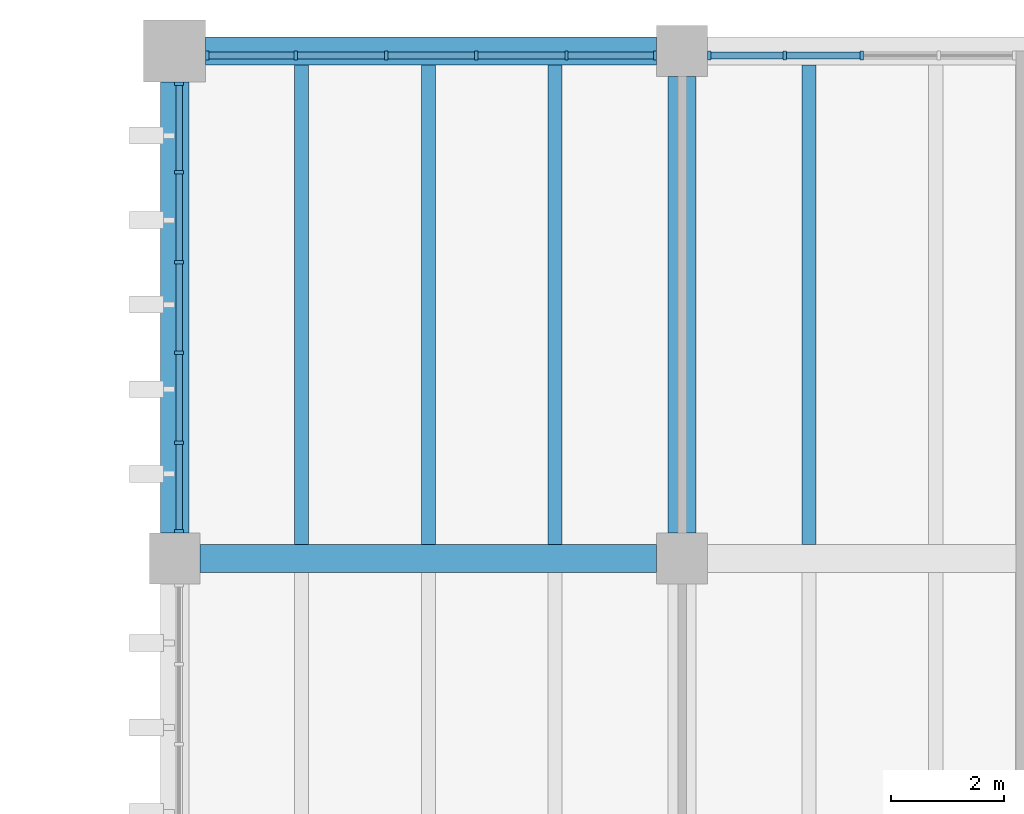
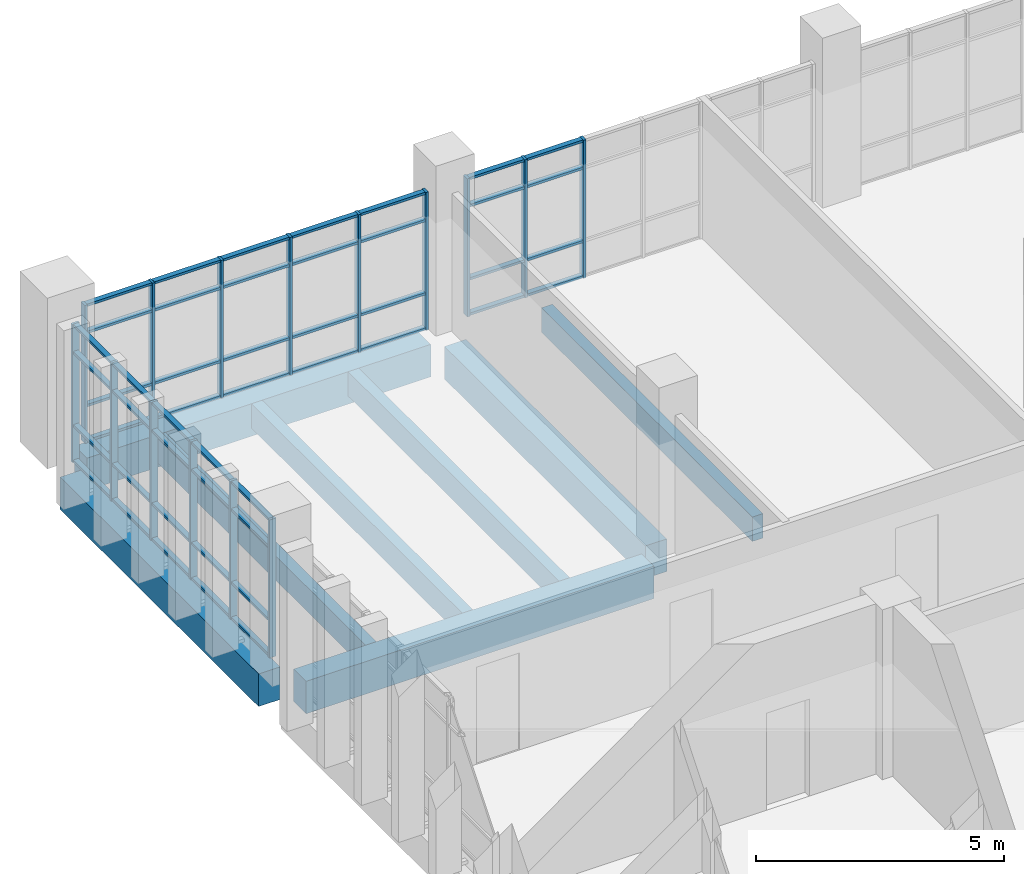
# One storey, part 31 of 92: 63 members, 8 beams, 3 elements without a shape of their own.
"""IFC4 building model written with IfcOpenShell, lengths in metres."""

from ifc_helpers import new_model, si_unit, direction, frame, origin, origin_2d, place, context, subcontext, project, spatial, rectangle, extrude, material, material_profile, profile_set, type_object, element, aggregate, save


model = new_model("IFC4")

# Units and contexts
model_context = context("Model", 3, precision=1e-05, world=origin(), true_north=direction((0.0, 1.0)))
body_context = subcontext(model_context, "Body", "Model", "MODEL_VIEW")
ifc_project = project(units=[si_unit("LENGTHUNIT", "METRE"), si_unit("AREAUNIT", "SQUARE_METRE"), si_unit("VOLUMEUNIT", "CUBIC_METRE"), si_unit("PLANEANGLEUNIT", "RADIAN"), si_unit("MASSUNIT", "GRAM", prefix="KILO")], contexts=[model_context])

# Site, building, storey
site_placement = place(None, origin())
site = spatial("IfcSite", under=ifc_project, at=site_placement, CompositionType="ELEMENT")
building_placement = place(site_placement, origin())
building = spatial("IfcBuilding", under=site, at=building_placement, Name="Merrow Basin Faculty of Sciences", CompositionType="ELEMENT")
storey_placement = place(building_placement, frame((0.0, 0.0, 4.5)))
storey = spatial("IfcBuildingStorey", under=building, at=storey_placement, Name="L01", CompositionType="ELEMENT", Elevation=4.5)

# Curtain wall, members
ifc_material_1 = material(Name="Aluminium alloy 6063", Category="aluminium")
curtain_wall_type = type_object("IfcCurtainWallType", Name="Unitised curtain wall 160", PredefinedType="NOTDEFINED", material=ifc_material_1)
curtain_wall_1_placement = place(storey_placement, origin())
curtain_wall_1 = element("IfcCurtainWall", 1, at=curtain_wall_1_placement, inside=storey, type_object=curtain_wall_type, Name="W curtain wall L01 3", PredefinedType="NOTDEFINED")
ifc_material_2 = material(Name="Aluminium alloy 6063", Category="aluminium")
ifc_material_profile_1 = material_profile(ifc_material_2, rectangle(XDim=0.159912109375, YDim=0.06005859375, at=origin_2d()))
ifc_profile_set_1 = profile_set([ifc_material_profile_1], Name="Aluminium alloy 6063")
member_type_1 = type_object("IfcMemberType", Name="Aluminium mullion 60x160", PredefinedType="MULLION", material=ifc_profile_set_1)
member_1_placement = place(storey_placement, frame((18.080078125, 160.47998046875, 0.0), z_axis=(0.0, 0.0, 1.0), x_axis=(-1.0, 0.0, 0.0)))
member_1 = element("IfcMember", 2, at=member_1_placement, type_object=member_type_1, Name="CW3 mullion 1", PredefinedType="MULLION", context=body_context, shape_type="SweptSolid", body=[
    extrude(rectangle(XDim=0.159912109375, YDim=0.06005859375, at=origin_2d()), origin(), (0.0, 0.0, 1.0), 3.39990234375),
])
member_2_placement = place(storey_placement, frame((18.080078125, 162.050048828125, 0.0), z_axis=(0.0, 0.0, 1.0), x_axis=(-1.0, 0.0, 0.0)))
member_2 = element("IfcMember", 3, at=member_2_placement, type_object=member_type_1, Name="CW3 mullion 2", PredefinedType="MULLION", context=body_context, shape_type="SweptSolid", body=[
    extrude(rectangle(XDim=0.159912109375, YDim=0.06005859375, at=origin_2d()), origin(), (0.0, 0.0, 1.0), 3.39990234375),
])
member_3_placement = place(storey_placement, frame((18.080078125, 163.64990234375, 0.0), z_axis=(0.0, 0.0, 1.0), x_axis=(-1.0, 0.0, 0.0)))
member_3 = element("IfcMember", 4, at=member_3_placement, type_object=member_type_1, Name="CW3 mullion 3", PredefinedType="MULLION", context=body_context, shape_type="SweptSolid", body=[
    extrude(rectangle(XDim=0.159912109375, YDim=0.06005859375, at=origin_2d()), origin(), (0.0, 0.0, 1.0), 3.39990234375),
])
member_4_placement = place(storey_placement, frame((18.080078125, 165.25, 0.0), z_axis=(0.0, 0.0, 1.0), x_axis=(-1.0, 0.0, 0.0)))
member_4 = element("IfcMember", 5, at=member_4_placement, type_object=member_type_1, Name="CW3 mullion 4", PredefinedType="MULLION", context=body_context, shape_type="SweptSolid", body=[
    extrude(rectangle(XDim=0.159912109375, YDim=0.06005859375, at=origin_2d()), origin(), (0.0, 0.0, 1.0), 3.39990234375),
])
member_5_placement = place(storey_placement, frame((18.080078125, 166.85009765625, 0.0), z_axis=(0.0, 0.0, 1.0), x_axis=(-1.0, 0.0, 0.0)))
member_5 = element("IfcMember", 6, at=member_5_placement, type_object=member_type_1, Name="CW3 mullion 5", PredefinedType="MULLION", context=body_context, shape_type="SweptSolid", body=[
    extrude(rectangle(XDim=0.159912109375, YDim=0.06005859375, at=origin_2d()), origin(), (0.0, 0.0, 1.0), 3.39990234375),
])
member_6_placement = place(storey_placement, frame((18.080078125, 168.419921875, 0.0), z_axis=(0.0, 0.0, 1.0), x_axis=(-1.0, 0.0, 0.0)))
member_6 = element("IfcMember", 7, at=member_6_placement, type_object=member_type_1, Name="CW3 mullion 6", PredefinedType="MULLION", context=body_context, shape_type="SweptSolid", body=[
    extrude(rectangle(XDim=0.159912109375, YDim=0.06005859375, at=origin_2d()), origin(), (0.0, 0.0, 1.0), 3.39990234375),
])

curtain_wall_2_placement = place(storey_placement, origin())
curtain_wall_2 = element("IfcCurtainWall", 8, at=curtain_wall_2_placement, inside=storey, type_object=curtain_wall_type, Name="N curtain wall L01 1", PredefinedType="NOTDEFINED")
member_7_placement = place(storey_placement, frame((18.580078125, 168.919921875, 0.0), z_axis=(0.0, 0.0, 1.0), x_axis=(0.0, 1.0, 0.0)))
member_7 = element("IfcMember", 9, at=member_7_placement, type_object=member_type_1, Name="CW3 mullion 1", PredefinedType="MULLION", context=body_context, shape_type="SweptSolid", body=[
    extrude(rectangle(XDim=0.159912109375, YDim=0.06005859375, at=origin_2d()), origin(), (0.0, 0.0, 1.0), 3.39990234375),
])
member_8_placement = place(storey_placement, frame((20.14990234375, 168.919921875, 0.0), z_axis=(0.0, 0.0, 1.0), x_axis=(0.0, 1.0, 0.0)))
member_8 = element("IfcMember", 10, at=member_8_placement, type_object=member_type_1, Name="CW3 mullion 2", PredefinedType="MULLION", context=body_context, shape_type="SweptSolid", body=[
    extrude(rectangle(XDim=0.159912109375, YDim=0.06005859375, at=origin_2d()), origin(), (0.0, 0.0, 1.0), 3.39990234375),
])
member_9_placement = place(storey_placement, frame((21.75, 168.919921875, 0.0), z_axis=(0.0, 0.0, 1.0), x_axis=(0.0, 1.0, 0.0)))
member_9 = element("IfcMember", 11, at=member_9_placement, type_object=member_type_1, Name="CW3 mullion 3", PredefinedType="MULLION", context=body_context, shape_type="SweptSolid", body=[
    extrude(rectangle(XDim=0.159912109375, YDim=0.06005859375, at=origin_2d()), origin(), (0.0, 0.0, 1.0), 3.39990234375),
])
member_10_placement = place(storey_placement, frame((23.35009765625, 168.919921875, 0.0), z_axis=(0.0, 0.0, 1.0), x_axis=(0.0, 1.0, 0.0)))
member_10 = element("IfcMember", 12, at=member_10_placement, type_object=member_type_1, Name="CW3 mullion 4", PredefinedType="MULLION", context=body_context, shape_type="SweptSolid", body=[
    extrude(rectangle(XDim=0.159912109375, YDim=0.06005859375, at=origin_2d()), origin(), (0.0, 0.0, 1.0), 3.39990234375),
])
member_11_placement = place(storey_placement, frame((24.949951171875, 168.919921875, 0.0), z_axis=(0.0, 0.0, 1.0), x_axis=(0.0, 1.0, 0.0)))
member_11 = element("IfcMember", 13, at=member_11_placement, type_object=member_type_1, Name="CW3 mullion 5", PredefinedType="MULLION", context=body_context, shape_type="SweptSolid", body=[
    extrude(rectangle(XDim=0.159912109375, YDim=0.06005859375, at=origin_2d()), origin(), (0.0, 0.0, 1.0), 3.39990234375),
])
member_12_placement = place(storey_placement, frame((26.52001953125, 168.919921875, 0.0), z_axis=(0.0, 0.0, 1.0), x_axis=(0.0, 1.0, 0.0)))
member_12 = element("IfcMember", 14, at=member_12_placement, type_object=member_type_1, Name="CW3 mullion 6", PredefinedType="MULLION", context=body_context, shape_type="SweptSolid", body=[
    extrude(rectangle(XDim=0.159912109375, YDim=0.06005859375, at=origin_2d()), origin(), (0.0, 0.0, 1.0), 3.39990234375),
])

curtain_wall_3_placement = place(storey_placement, origin())
curtain_wall_3 = element("IfcCurtainWall", 15, at=curtain_wall_3_placement, inside=storey, type_object=curtain_wall_type, Name="N curtain wall L01 2", PredefinedType="NOTDEFINED")
member_13_placement = place(storey_placement, frame((27.47998046875, 168.919921875, 0.0), z_axis=(0.0, 0.0, 1.0), x_axis=(0.0, 1.0, 0.0)))
member_13 = element("IfcMember", 16, at=member_13_placement, type_object=member_type_1, Name="CW3 mullion 1", PredefinedType="MULLION", context=body_context, shape_type="SweptSolid", body=[
    extrude(rectangle(XDim=0.159912109375, YDim=0.06005859375, at=origin_2d()), origin(), (0.0, 0.0, 1.0), 3.39990234375),
])
member_14_placement = place(storey_placement, frame((28.81884765625, 168.919921875, 0.0), z_axis=(0.0, 0.0, 1.0), x_axis=(0.0, 1.0, 0.0)))
member_14 = element("IfcMember", 17, at=member_14_placement, type_object=member_type_1, Name="CW3 mullion 2", PredefinedType="MULLION", context=body_context, shape_type="SweptSolid", body=[
    extrude(rectangle(XDim=0.159912109375, YDim=0.06005859375, at=origin_2d()), origin(), (0.0, 0.0, 1.0), 3.39990234375),
])
member_15_placement = place(storey_placement, frame((30.1875, 168.919921875, 0.0), z_axis=(0.0, 0.0, 1.0), x_axis=(0.0, 1.0, 0.0)))
member_15 = element("IfcMember", 18, at=member_15_placement, type_object=member_type_1, Name="CW3 mullion 3", PredefinedType="MULLION", context=body_context, shape_type="SweptSolid", body=[
    extrude(rectangle(XDim=0.159912109375, YDim=0.06005859375, at=origin_2d()), origin(), (0.0, 0.0, 1.0), 3.39990234375),
])

# Member
ifc_material_3 = material(Name="Aluminium alloy 6063", Category="aluminium")
ifc_material_profile_2 = material_profile(ifc_material_3, rectangle(XDim=0.1201171875, YDim=0.06005859375, at=origin_2d()))
ifc_profile_set_2 = profile_set([ifc_material_profile_2], Name="Aluminium alloy 6063")
member_type_2 = type_object("IfcMemberType", Name="Aluminium transom 60x120", PredefinedType="USERDEFINED", material=ifc_profile_set_2)
member_16_placement = place(storey_placement, frame((18.080078125, 160.510009765625, 0.030029296875), z_axis=(0.0, 1.0, 0.0), x_axis=(-1.0, 0.0, 0.0)))
member_16 = element("IfcMember", 19, at=member_16_placement, type_object=member_type_2, Name="CW3 transom 1.1", ObjectType="TRANSOM", PredefinedType="USERDEFINED", context=body_context, shape_type="SweptSolid", body=[
    extrude(rectangle(XDim=0.1201171875, YDim=0.06005859375, at=origin_2d()), origin(), (0.0, 0.0, 1.0), 1.510009765625),
])

member_17_placement = place(storey_placement, frame((18.080078125, 160.510009765625, 0.89990234375), z_axis=(0.0, 1.0, 0.0), x_axis=(-1.0, 0.0, 0.0)))
member_17 = element("IfcMember", 20, at=member_17_placement, type_object=member_type_2, Name="CW3 transom 1.2", ObjectType="TRANSOM", PredefinedType="USERDEFINED", context=body_context, shape_type="SweptSolid", body=[
    extrude(rectangle(XDim=0.1201171875, YDim=0.06005859375, at=origin_2d()), origin(), (0.0, 0.0, 1.0), 1.510009765625),
])

member_18_placement = place(storey_placement, frame((18.080078125, 160.510009765625, 2.699951171875), z_axis=(0.0, 1.0, 0.0), x_axis=(-1.0, 0.0, 0.0)))
member_18 = element("IfcMember", 21, at=member_18_placement, type_object=member_type_2, Name="CW3 transom 1.3", ObjectType="TRANSOM", PredefinedType="USERDEFINED", context=body_context, shape_type="SweptSolid", body=[
    extrude(rectangle(XDim=0.1201171875, YDim=0.06005859375, at=origin_2d()), origin(), (0.0, 0.0, 1.0), 1.510009765625),
])

member_19_placement = place(storey_placement, frame((18.080078125, 160.510009765625, 3.3701171875), z_axis=(0.0, 1.0, 0.0), x_axis=(-1.0, 0.0, 0.0)))
member_19 = element("IfcMember", 22, at=member_19_placement, type_object=member_type_2, Name="CW3 transom 1.4", ObjectType="TRANSOM", PredefinedType="USERDEFINED", context=body_context, shape_type="SweptSolid", body=[
    extrude(rectangle(XDim=0.1201171875, YDim=0.06005859375, at=origin_2d()), origin(), (0.0, 0.0, 1.0), 1.510009765625),
])

member_20_placement = place(storey_placement, frame((18.080078125, 162.080078125, 0.030029296875), z_axis=(0.0, 1.0, 0.0), x_axis=(-1.0, 0.0, 0.0)))
member_20 = element("IfcMember", 23, at=member_20_placement, type_object=member_type_2, Name="CW3 transom 2.1", ObjectType="TRANSOM", PredefinedType="USERDEFINED", context=body_context, shape_type="SweptSolid", body=[
    extrude(rectangle(XDim=0.1201171875, YDim=0.06005859375, at=origin_2d()), origin(), (0.0, 0.0, 1.0), 1.5400390625),
])

member_21_placement = place(storey_placement, frame((18.080078125, 162.080078125, 0.89990234375), z_axis=(0.0, 1.0, 0.0), x_axis=(-1.0, 0.0, 0.0)))
member_21 = element("IfcMember", 24, at=member_21_placement, type_object=member_type_2, Name="CW3 transom 2.2", ObjectType="TRANSOM", PredefinedType="USERDEFINED", context=body_context, shape_type="SweptSolid", body=[
    extrude(rectangle(XDim=0.1201171875, YDim=0.06005859375, at=origin_2d()), origin(), (0.0, 0.0, 1.0), 1.5400390625),
])

member_22_placement = place(storey_placement, frame((18.080078125, 162.080078125, 2.699951171875), z_axis=(0.0, 1.0, 0.0), x_axis=(-1.0, 0.0, 0.0)))
member_22 = element("IfcMember", 25, at=member_22_placement, type_object=member_type_2, Name="CW3 transom 2.3", ObjectType="TRANSOM", PredefinedType="USERDEFINED", context=body_context, shape_type="SweptSolid", body=[
    extrude(rectangle(XDim=0.1201171875, YDim=0.06005859375, at=origin_2d()), origin(), (0.0, 0.0, 1.0), 1.5400390625),
])

member_23_placement = place(storey_placement, frame((18.080078125, 162.080078125, 3.3701171875), z_axis=(0.0, 1.0, 0.0), x_axis=(-1.0, 0.0, 0.0)))
member_23 = element("IfcMember", 26, at=member_23_placement, type_object=member_type_2, Name="CW3 transom 2.4", ObjectType="TRANSOM", PredefinedType="USERDEFINED", context=body_context, shape_type="SweptSolid", body=[
    extrude(rectangle(XDim=0.1201171875, YDim=0.06005859375, at=origin_2d()), origin(), (0.0, 0.0, 1.0), 1.5400390625),
])

member_24_placement = place(storey_placement, frame((18.080078125, 163.679931640625, 0.030029296875), z_axis=(0.0, 1.0, 0.0), x_axis=(-1.0, 0.0, 0.0)))
member_24 = element("IfcMember", 27, at=member_24_placement, type_object=member_type_2, Name="CW3 transom 3.1", ObjectType="TRANSOM", PredefinedType="USERDEFINED", context=body_context, shape_type="SweptSolid", body=[
    extrude(rectangle(XDim=0.1201171875, YDim=0.06005859375, at=origin_2d()), origin(), (0.0, 0.0, 1.0), 1.5400390625),
])

member_25_placement = place(storey_placement, frame((18.080078125, 163.679931640625, 0.89990234375), z_axis=(0.0, 1.0, 0.0), x_axis=(-1.0, 0.0, 0.0)))
member_25 = element("IfcMember", 28, at=member_25_placement, type_object=member_type_2, Name="CW3 transom 3.2", ObjectType="TRANSOM", PredefinedType="USERDEFINED", context=body_context, shape_type="SweptSolid", body=[
    extrude(rectangle(XDim=0.1201171875, YDim=0.06005859375, at=origin_2d()), origin(), (0.0, 0.0, 1.0), 1.5400390625),
])

member_26_placement = place(storey_placement, frame((18.080078125, 163.679931640625, 2.699951171875), z_axis=(0.0, 1.0, 0.0), x_axis=(-1.0, 0.0, 0.0)))
member_26 = element("IfcMember", 29, at=member_26_placement, type_object=member_type_2, Name="CW3 transom 3.3", ObjectType="TRANSOM", PredefinedType="USERDEFINED", context=body_context, shape_type="SweptSolid", body=[
    extrude(rectangle(XDim=0.1201171875, YDim=0.06005859375, at=origin_2d()), origin(), (0.0, 0.0, 1.0), 1.5400390625),
])

member_27_placement = place(storey_placement, frame((18.080078125, 163.679931640625, 3.3701171875), z_axis=(0.0, 1.0, 0.0), x_axis=(-1.0, 0.0, 0.0)))
member_27 = element("IfcMember", 30, at=member_27_placement, type_object=member_type_2, Name="CW3 transom 3.4", ObjectType="TRANSOM", PredefinedType="USERDEFINED", context=body_context, shape_type="SweptSolid", body=[
    extrude(rectangle(XDim=0.1201171875, YDim=0.06005859375, at=origin_2d()), origin(), (0.0, 0.0, 1.0), 1.5400390625),
])

member_28_placement = place(storey_placement, frame((18.080078125, 165.280029296875, 0.030029296875), z_axis=(0.0, 1.0, 0.0), x_axis=(-1.0, 0.0, 0.0)))
member_28 = element("IfcMember", 31, at=member_28_placement, type_object=member_type_2, Name="CW3 transom 4.1", ObjectType="TRANSOM", PredefinedType="USERDEFINED", context=body_context, shape_type="SweptSolid", body=[
    extrude(rectangle(XDim=0.1201171875, YDim=0.06005859375, at=origin_2d()), origin(), (0.0, 0.0, 1.0), 1.5400390625),
])

member_29_placement = place(storey_placement, frame((18.080078125, 165.280029296875, 0.89990234375), z_axis=(0.0, 1.0, 0.0), x_axis=(-1.0, 0.0, 0.0)))
member_29 = element("IfcMember", 32, at=member_29_placement, type_object=member_type_2, Name="CW3 transom 4.2", ObjectType="TRANSOM", PredefinedType="USERDEFINED", context=body_context, shape_type="SweptSolid", body=[
    extrude(rectangle(XDim=0.1201171875, YDim=0.06005859375, at=origin_2d()), origin(), (0.0, 0.0, 1.0), 1.5400390625),
])

member_30_placement = place(storey_placement, frame((18.080078125, 165.280029296875, 2.699951171875), z_axis=(0.0, 1.0, 0.0), x_axis=(-1.0, 0.0, 0.0)))
member_30 = element("IfcMember", 33, at=member_30_placement, type_object=member_type_2, Name="CW3 transom 4.3", ObjectType="TRANSOM", PredefinedType="USERDEFINED", context=body_context, shape_type="SweptSolid", body=[
    extrude(rectangle(XDim=0.1201171875, YDim=0.06005859375, at=origin_2d()), origin(), (0.0, 0.0, 1.0), 1.5400390625),
])

member_31_placement = place(storey_placement, frame((18.080078125, 165.280029296875, 3.3701171875), z_axis=(0.0, 1.0, 0.0), x_axis=(-1.0, 0.0, 0.0)))
member_31 = element("IfcMember", 34, at=member_31_placement, type_object=member_type_2, Name="CW3 transom 4.4", ObjectType="TRANSOM", PredefinedType="USERDEFINED", context=body_context, shape_type="SweptSolid", body=[
    extrude(rectangle(XDim=0.1201171875, YDim=0.06005859375, at=origin_2d()), origin(), (0.0, 0.0, 1.0), 1.5400390625),
])

member_32_placement = place(storey_placement, frame((18.080078125, 166.8798828125, 0.030029296875), z_axis=(0.0, 1.0, 0.0), x_axis=(-1.0, 0.0, 0.0)))
member_32 = element("IfcMember", 35, at=member_32_placement, type_object=member_type_2, Name="CW3 transom 5.1", ObjectType="TRANSOM", PredefinedType="USERDEFINED", context=body_context, shape_type="SweptSolid", body=[
    extrude(rectangle(XDim=0.1201171875, YDim=0.06005859375, at=origin_2d()), origin(), (0.0, 0.0, 1.0), 1.510009765625),
])

member_33_placement = place(storey_placement, frame((18.080078125, 166.8798828125, 0.89990234375), z_axis=(0.0, 1.0, 0.0), x_axis=(-1.0, 0.0, 0.0)))
member_33 = element("IfcMember", 36, at=member_33_placement, type_object=member_type_2, Name="CW3 transom 5.2", ObjectType="TRANSOM", PredefinedType="USERDEFINED", context=body_context, shape_type="SweptSolid", body=[
    extrude(rectangle(XDim=0.1201171875, YDim=0.06005859375, at=origin_2d()), origin(), (0.0, 0.0, 1.0), 1.510009765625),
])

member_34_placement = place(storey_placement, frame((18.080078125, 166.8798828125, 2.699951171875), z_axis=(0.0, 1.0, 0.0), x_axis=(-1.0, 0.0, 0.0)))
member_34 = element("IfcMember", 37, at=member_34_placement, type_object=member_type_2, Name="CW3 transom 5.3", ObjectType="TRANSOM", PredefinedType="USERDEFINED", context=body_context, shape_type="SweptSolid", body=[
    extrude(rectangle(XDim=0.1201171875, YDim=0.06005859375, at=origin_2d()), origin(), (0.0, 0.0, 1.0), 1.510009765625),
])

member_35_placement = place(storey_placement, frame((18.080078125, 166.8798828125, 3.3701171875), z_axis=(0.0, 1.0, 0.0), x_axis=(-1.0, 0.0, 0.0)))
member_35 = element("IfcMember", 38, at=member_35_placement, type_object=member_type_2, Name="CW3 transom 5.4", ObjectType="TRANSOM", PredefinedType="USERDEFINED", context=body_context, shape_type="SweptSolid", body=[
    extrude(rectangle(XDim=0.1201171875, YDim=0.06005859375, at=origin_2d()), origin(), (0.0, 0.0, 1.0), 1.510009765625),
])

aggregate(curtain_wall_1, [member_1, member_2, member_3, member_4, member_5, member_6, member_16, member_17, member_18, member_19, member_20, member_21, member_22, member_23, member_24, member_25, member_26, member_27, member_28, member_29, member_30, member_31, member_32, member_33, member_34, member_35])

member_36_placement = place(storey_placement, frame((18.610107421875, 168.919921875, 0.030029296875), z_axis=(1.0, 0.0, 0.0), x_axis=(0.0, 1.0, 0.0)))
member_36 = element("IfcMember", 39, at=member_36_placement, type_object=member_type_2, Name="CW3 transom 1.1", ObjectType="TRANSOM", PredefinedType="USERDEFINED", context=body_context, shape_type="SweptSolid", body=[
    extrude(rectangle(XDim=0.1201171875, YDim=0.06005859375, at=origin_2d()), origin(), (0.0, 0.0, 1.0), 1.510009765625),
])

member_37_placement = place(storey_placement, frame((18.610107421875, 168.919921875, 0.89990234375), z_axis=(1.0, 0.0, 0.0), x_axis=(0.0, 1.0, 0.0)))
member_37 = element("IfcMember", 40, at=member_37_placement, type_object=member_type_2, Name="CW3 transom 1.2", ObjectType="TRANSOM", PredefinedType="USERDEFINED", context=body_context, shape_type="SweptSolid", body=[
    extrude(rectangle(XDim=0.1201171875, YDim=0.06005859375, at=origin_2d()), origin(), (0.0, 0.0, 1.0), 1.510009765625),
])

member_38_placement = place(storey_placement, frame((18.610107421875, 168.919921875, 2.699951171875), z_axis=(1.0, 0.0, 0.0), x_axis=(0.0, 1.0, 0.0)))
member_38 = element("IfcMember", 41, at=member_38_placement, type_object=member_type_2, Name="CW3 transom 1.3", ObjectType="TRANSOM", PredefinedType="USERDEFINED", context=body_context, shape_type="SweptSolid", body=[
    extrude(rectangle(XDim=0.1201171875, YDim=0.06005859375, at=origin_2d()), origin(), (0.0, 0.0, 1.0), 1.510009765625),
])

member_39_placement = place(storey_placement, frame((18.610107421875, 168.919921875, 3.3701171875), z_axis=(1.0, 0.0, 0.0), x_axis=(0.0, 1.0, 0.0)))
member_39 = element("IfcMember", 42, at=member_39_placement, type_object=member_type_2, Name="CW3 transom 1.4", ObjectType="TRANSOM", PredefinedType="USERDEFINED", context=body_context, shape_type="SweptSolid", body=[
    extrude(rectangle(XDim=0.1201171875, YDim=0.06005859375, at=origin_2d()), origin(), (0.0, 0.0, 1.0), 1.510009765625),
])

member_40_placement = place(storey_placement, frame((20.179931640625, 168.919921875, 0.030029296875), z_axis=(1.0, 0.0, 0.0), x_axis=(0.0, 1.0, 0.0)))
member_40 = element("IfcMember", 43, at=member_40_placement, type_object=member_type_2, Name="CW3 transom 2.1", ObjectType="TRANSOM", PredefinedType="USERDEFINED", context=body_context, shape_type="SweptSolid", body=[
    extrude(rectangle(XDim=0.1201171875, YDim=0.06005859375, at=origin_2d()), origin(), (0.0, 0.0, 1.0), 1.5400390625),
])

member_41_placement = place(storey_placement, frame((20.179931640625, 168.919921875, 0.89990234375), z_axis=(1.0, 0.0, 0.0), x_axis=(0.0, 1.0, 0.0)))
member_41 = element("IfcMember", 44, at=member_41_placement, type_object=member_type_2, Name="CW3 transom 2.2", ObjectType="TRANSOM", PredefinedType="USERDEFINED", context=body_context, shape_type="SweptSolid", body=[
    extrude(rectangle(XDim=0.1201171875, YDim=0.06005859375, at=origin_2d()), origin(), (0.0, 0.0, 1.0), 1.5400390625),
])

member_42_placement = place(storey_placement, frame((20.179931640625, 168.919921875, 2.699951171875), z_axis=(1.0, 0.0, 0.0), x_axis=(0.0, 1.0, 0.0)))
member_42 = element("IfcMember", 45, at=member_42_placement, type_object=member_type_2, Name="CW3 transom 2.3", ObjectType="TRANSOM", PredefinedType="USERDEFINED", context=body_context, shape_type="SweptSolid", body=[
    extrude(rectangle(XDim=0.1201171875, YDim=0.06005859375, at=origin_2d()), origin(), (0.0, 0.0, 1.0), 1.5400390625),
])

member_43_placement = place(storey_placement, frame((20.179931640625, 168.919921875, 3.3701171875), z_axis=(1.0, 0.0, 0.0), x_axis=(0.0, 1.0, 0.0)))
member_43 = element("IfcMember", 46, at=member_43_placement, type_object=member_type_2, Name="CW3 transom 2.4", ObjectType="TRANSOM", PredefinedType="USERDEFINED", context=body_context, shape_type="SweptSolid", body=[
    extrude(rectangle(XDim=0.1201171875, YDim=0.06005859375, at=origin_2d()), origin(), (0.0, 0.0, 1.0), 1.5400390625),
])

member_44_placement = place(storey_placement, frame((21.780029296875, 168.919921875, 0.030029296875), z_axis=(1.0, 0.0, 0.0), x_axis=(0.0, 1.0, 0.0)))
member_44 = element("IfcMember", 47, at=member_44_placement, type_object=member_type_2, Name="CW3 transom 3.1", ObjectType="TRANSOM", PredefinedType="USERDEFINED", context=body_context, shape_type="SweptSolid", body=[
    extrude(rectangle(XDim=0.1201171875, YDim=0.06005859375, at=origin_2d()), origin(), (0.0, 0.0, 1.0), 1.5400390625),
])

member_45_placement = place(storey_placement, frame((21.780029296875, 168.919921875, 0.89990234375), z_axis=(1.0, 0.0, 0.0), x_axis=(0.0, 1.0, 0.0)))
member_45 = element("IfcMember", 48, at=member_45_placement, type_object=member_type_2, Name="CW3 transom 3.2", ObjectType="TRANSOM", PredefinedType="USERDEFINED", context=body_context, shape_type="SweptSolid", body=[
    extrude(rectangle(XDim=0.1201171875, YDim=0.06005859375, at=origin_2d()), origin(), (0.0, 0.0, 1.0), 1.5400390625),
])

member_46_placement = place(storey_placement, frame((21.780029296875, 168.919921875, 2.699951171875), z_axis=(1.0, 0.0, 0.0), x_axis=(0.0, 1.0, 0.0)))
member_46 = element("IfcMember", 49, at=member_46_placement, type_object=member_type_2, Name="CW3 transom 3.3", ObjectType="TRANSOM", PredefinedType="USERDEFINED", context=body_context, shape_type="SweptSolid", body=[
    extrude(rectangle(XDim=0.1201171875, YDim=0.06005859375, at=origin_2d()), origin(), (0.0, 0.0, 1.0), 1.5400390625),
])

member_47_placement = place(storey_placement, frame((21.780029296875, 168.919921875, 3.3701171875), z_axis=(1.0, 0.0, 0.0), x_axis=(0.0, 1.0, 0.0)))
member_47 = element("IfcMember", 50, at=member_47_placement, type_object=member_type_2, Name="CW3 transom 3.4", ObjectType="TRANSOM", PredefinedType="USERDEFINED", context=body_context, shape_type="SweptSolid", body=[
    extrude(rectangle(XDim=0.1201171875, YDim=0.06005859375, at=origin_2d()), origin(), (0.0, 0.0, 1.0), 1.5400390625),
])

member_48_placement = place(storey_placement, frame((23.3798828125, 168.919921875, 0.030029296875), z_axis=(1.0, 0.0, 0.0), x_axis=(0.0, 1.0, 0.0)))
member_48 = element("IfcMember", 51, at=member_48_placement, type_object=member_type_2, Name="CW3 transom 4.1", ObjectType="TRANSOM", PredefinedType="USERDEFINED", context=body_context, shape_type="SweptSolid", body=[
    extrude(rectangle(XDim=0.1201171875, YDim=0.06005859375, at=origin_2d()), origin(), (0.0, 0.0, 1.0), 1.5400390625),
])

member_49_placement = place(storey_placement, frame((23.3798828125, 168.919921875, 0.89990234375), z_axis=(1.0, 0.0, 0.0), x_axis=(0.0, 1.0, 0.0)))
member_49 = element("IfcMember", 52, at=member_49_placement, type_object=member_type_2, Name="CW3 transom 4.2", ObjectType="TRANSOM", PredefinedType="USERDEFINED", context=body_context, shape_type="SweptSolid", body=[
    extrude(rectangle(XDim=0.1201171875, YDim=0.06005859375, at=origin_2d()), origin(), (0.0, 0.0, 1.0), 1.5400390625),
])

member_50_placement = place(storey_placement, frame((23.3798828125, 168.919921875, 2.699951171875), z_axis=(1.0, 0.0, 0.0), x_axis=(0.0, 1.0, 0.0)))
member_50 = element("IfcMember", 53, at=member_50_placement, type_object=member_type_2, Name="CW3 transom 4.3", ObjectType="TRANSOM", PredefinedType="USERDEFINED", context=body_context, shape_type="SweptSolid", body=[
    extrude(rectangle(XDim=0.1201171875, YDim=0.06005859375, at=origin_2d()), origin(), (0.0, 0.0, 1.0), 1.5400390625),
])

member_51_placement = place(storey_placement, frame((23.3798828125, 168.919921875, 3.3701171875), z_axis=(1.0, 0.0, 0.0), x_axis=(0.0, 1.0, 0.0)))
member_51 = element("IfcMember", 54, at=member_51_placement, type_object=member_type_2, Name="CW3 transom 4.4", ObjectType="TRANSOM", PredefinedType="USERDEFINED", context=body_context, shape_type="SweptSolid", body=[
    extrude(rectangle(XDim=0.1201171875, YDim=0.06005859375, at=origin_2d()), origin(), (0.0, 0.0, 1.0), 1.5400390625),
])

member_52_placement = place(storey_placement, frame((24.97998046875, 168.919921875, 0.030029296875), z_axis=(1.0, 0.0, 0.0), x_axis=(0.0, 1.0, 0.0)))
member_52 = element("IfcMember", 55, at=member_52_placement, type_object=member_type_2, Name="CW3 transom 5.1", ObjectType="TRANSOM", PredefinedType="USERDEFINED", context=body_context, shape_type="SweptSolid", body=[
    extrude(rectangle(XDim=0.1201171875, YDim=0.06005859375, at=origin_2d()), origin(), (0.0, 0.0, 1.0), 1.510009765625),
])

member_53_placement = place(storey_placement, frame((24.97998046875, 168.919921875, 0.89990234375), z_axis=(1.0, 0.0, 0.0), x_axis=(0.0, 1.0, 0.0)))
member_53 = element("IfcMember", 56, at=member_53_placement, type_object=member_type_2, Name="CW3 transom 5.2", ObjectType="TRANSOM", PredefinedType="USERDEFINED", context=body_context, shape_type="SweptSolid", body=[
    extrude(rectangle(XDim=0.1201171875, YDim=0.06005859375, at=origin_2d()), origin(), (0.0, 0.0, 1.0), 1.510009765625),
])

member_54_placement = place(storey_placement, frame((24.97998046875, 168.919921875, 2.699951171875), z_axis=(1.0, 0.0, 0.0), x_axis=(0.0, 1.0, 0.0)))
member_54 = element("IfcMember", 57, at=member_54_placement, type_object=member_type_2, Name="CW3 transom 5.3", ObjectType="TRANSOM", PredefinedType="USERDEFINED", context=body_context, shape_type="SweptSolid", body=[
    extrude(rectangle(XDim=0.1201171875, YDim=0.06005859375, at=origin_2d()), origin(), (0.0, 0.0, 1.0), 1.510009765625),
])

member_55_placement = place(storey_placement, frame((24.97998046875, 168.919921875, 3.3701171875), z_axis=(1.0, 0.0, 0.0), x_axis=(0.0, 1.0, 0.0)))
member_55 = element("IfcMember", 58, at=member_55_placement, type_object=member_type_2, Name="CW3 transom 5.4", ObjectType="TRANSOM", PredefinedType="USERDEFINED", context=body_context, shape_type="SweptSolid", body=[
    extrude(rectangle(XDim=0.1201171875, YDim=0.06005859375, at=origin_2d()), origin(), (0.0, 0.0, 1.0), 1.510009765625),
])

aggregate(curtain_wall_2, [member_7, member_8, member_9, member_10, member_11, member_12, member_36, member_37, member_38, member_39, member_40, member_41, member_42, member_43, member_44, member_45, member_46, member_47, member_48, member_49, member_50, member_51, member_52, member_53, member_54, member_55])

member_56_placement = place(storey_placement, frame((27.510009765625, 168.919921875, 0.030029296875), z_axis=(1.0, 0.0, 0.0), x_axis=(0.0, 1.0, 0.0)))
member_56 = element("IfcMember", 59, at=member_56_placement, type_object=member_type_2, Name="CW3 transom 1.1", ObjectType="TRANSOM", PredefinedType="USERDEFINED", context=body_context, shape_type="SweptSolid", body=[
    extrude(rectangle(XDim=0.1201171875, YDim=0.06005859375, at=origin_2d()), origin(), (0.0, 0.0, 1.0), 1.27880859375),
])

member_57_placement = place(storey_placement, frame((27.510009765625, 168.919921875, 0.89990234375), z_axis=(1.0, 0.0, 0.0), x_axis=(0.0, 1.0, 0.0)))
member_57 = element("IfcMember", 60, at=member_57_placement, type_object=member_type_2, Name="CW3 transom 1.2", ObjectType="TRANSOM", PredefinedType="USERDEFINED", context=body_context, shape_type="SweptSolid", body=[
    extrude(rectangle(XDim=0.1201171875, YDim=0.06005859375, at=origin_2d()), origin(), (0.0, 0.0, 1.0), 1.27880859375),
])

member_58_placement = place(storey_placement, frame((27.510009765625, 168.919921875, 2.699951171875), z_axis=(1.0, 0.0, 0.0), x_axis=(0.0, 1.0, 0.0)))
member_58 = element("IfcMember", 61, at=member_58_placement, type_object=member_type_2, Name="CW3 transom 1.3", ObjectType="TRANSOM", PredefinedType="USERDEFINED", context=body_context, shape_type="SweptSolid", body=[
    extrude(rectangle(XDim=0.1201171875, YDim=0.06005859375, at=origin_2d()), origin(), (0.0, 0.0, 1.0), 1.27880859375),
])

member_59_placement = place(storey_placement, frame((27.510009765625, 168.919921875, 3.3701171875), z_axis=(1.0, 0.0, 0.0), x_axis=(0.0, 1.0, 0.0)))
member_59 = element("IfcMember", 62, at=member_59_placement, type_object=member_type_2, Name="CW3 transom 1.4", ObjectType="TRANSOM", PredefinedType="USERDEFINED", context=body_context, shape_type="SweptSolid", body=[
    extrude(rectangle(XDim=0.1201171875, YDim=0.06005859375, at=origin_2d()), origin(), (0.0, 0.0, 1.0), 1.27880859375),
])

member_60_placement = place(storey_placement, frame((28.8486328125, 168.919921875, 0.030029296875), z_axis=(1.0, 0.0, 0.0), x_axis=(0.0, 1.0, 0.0)))
member_60 = element("IfcMember", 63, at=member_60_placement, type_object=member_type_2, Name="CW3 transom 2.1", ObjectType="TRANSOM", PredefinedType="USERDEFINED", context=body_context, shape_type="SweptSolid", body=[
    extrude(rectangle(XDim=0.1201171875, YDim=0.06005859375, at=origin_2d()), origin(), (0.0, 0.0, 1.0), 1.308837890625),
])

member_61_placement = place(storey_placement, frame((28.8486328125, 168.919921875, 0.89990234375), z_axis=(1.0, 0.0, 0.0), x_axis=(0.0, 1.0, 0.0)))
member_61 = element("IfcMember", 64, at=member_61_placement, type_object=member_type_2, Name="CW3 transom 2.2", ObjectType="TRANSOM", PredefinedType="USERDEFINED", context=body_context, shape_type="SweptSolid", body=[
    extrude(rectangle(XDim=0.1201171875, YDim=0.06005859375, at=origin_2d()), origin(), (0.0, 0.0, 1.0), 1.308837890625),
])

member_62_placement = place(storey_placement, frame((28.8486328125, 168.919921875, 2.699951171875), z_axis=(1.0, 0.0, 0.0), x_axis=(0.0, 1.0, 0.0)))
member_62 = element("IfcMember", 65, at=member_62_placement, type_object=member_type_2, Name="CW3 transom 2.3", ObjectType="TRANSOM", PredefinedType="USERDEFINED", context=body_context, shape_type="SweptSolid", body=[
    extrude(rectangle(XDim=0.1201171875, YDim=0.06005859375, at=origin_2d()), origin(), (0.0, 0.0, 1.0), 1.308837890625),
])

member_63_placement = place(storey_placement, frame((28.8486328125, 168.919921875, 3.3701171875), z_axis=(1.0, 0.0, 0.0), x_axis=(0.0, 1.0, 0.0)))
member_63 = element("IfcMember", 66, at=member_63_placement, type_object=member_type_2, Name="CW3 transom 2.4", ObjectType="TRANSOM", PredefinedType="USERDEFINED", context=body_context, shape_type="SweptSolid", body=[
    extrude(rectangle(XDim=0.1201171875, YDim=0.06005859375, at=origin_2d()), origin(), (0.0, 0.0, 1.0), 1.308837890625),
])

aggregate(curtain_wall_3, [member_13, member_14, member_15, member_56, member_57, member_58, member_59, member_60, member_61, member_62, member_63])

# Beams
ifc_material_4 = material(Name="Concrete C40/50", Category="concrete")
ifc_material_profile_3 = material_profile(ifc_material_4, rectangle(XDim=0.5, YDim=0.800048828125, at=origin_2d()))
ifc_profile_set_3 = profile_set([ifc_material_profile_3], Name="Concrete C40/50")
beam_type_1 = type_object("IfcBeamType", Name="Beam RC500x800 C40/50", PredefinedType="BEAM", material=ifc_profile_set_3)
beam_1_placement = place(storey_placement, frame((18.449951171875, 160.0, -0.699951171875), z_axis=(1.0, 0.0, 0.0), x_axis=(0.0, 1.0, 0.0)))
element("IfcBeam", 67, at=beam_1_placement, inside=storey, type_object=beam_type_1, Name="B4 L01 006", PredefinedType="BEAM", context=body_context, shape_type="SweptSolid", body=[
    extrude(rectangle(XDim=0.5, YDim=0.800048828125, at=origin_2d()), origin(), (0.0, 0.0, 1.0), 8.10009765625),
])
for number, where, z_axis, x_axis, name in (
    (68, (18.550048828125, 169.0, -0.699951171875), (1.0, 0.0, 0.0), (0.0, 1.0, 0.0), "B4 L01 009"),
    (69, (18.0, 160.449951171875, -0.699951171875), (0.0, 1.0, 0.0), (-1.0, 0.0, 0.0), "B4 L01 014"),
):
    element("IfcBeam", number, at=place(storey_placement, frame(where, z_axis=z_axis, x_axis=x_axis)), inside=storey, type_object=beam_type_1, Name=name, PredefinedType="BEAM", context=body_context, shape_type="SweptSolid", body=[
        extrude(rectangle(XDim=0.5, YDim=0.800048828125, at=origin_2d()), origin(), (0.0, 0.0, 1.0), 8.0),
    ])
beam_2_placement = place(storey_placement, frame((27.0, 160.449951171875, -0.699951171875), z_axis=(0.0, 1.0, 0.0), x_axis=(-1.0, 0.0, 0.0)))
element("IfcBeam", 70, at=beam_2_placement, inside=storey, type_object=beam_type_1, Name="B4 L01 016", PredefinedType="BEAM", context=body_context, shape_type="SweptSolid", body=[
    extrude(rectangle(XDim=0.5, YDim=0.800048828125, at=origin_2d()), origin(), (0.0, 0.0, 1.0), 8.10009765625),
])
ifc_material_5 = material(Name="Concrete C40/50", Category="concrete")
ifc_material_profile_4 = material_profile(ifc_material_5, rectangle(XDim=0.25, YDim=0.60009765625, at=origin_2d()))
ifc_profile_set_4 = profile_set([ifc_material_profile_4], Name="Concrete C40/50")
beam_type_2 = type_object("IfcBeamType", Name="Tower floor joist RC250x600 C40/50", PredefinedType="BEAM", material=ifc_profile_set_4)
for number, where, z_axis, x_axis, name in (
    (71, (20.25, 160.25, -0.60009765625), (0.0, 1.0, 0.0), (-1.0, 0.0, 0.0), "JT1 L01 029"),
    (72, (22.5, 160.25, -0.60009765625), (0.0, 1.0, 0.0), (-1.0, 0.0, 0.0), "JT1 L01 030"),
    (73, (24.75, 160.25, -0.60009765625), (0.0, 1.0, 0.0), (-1.0, 0.0, 0.0), "JT1 L01 031"),
    (74, (29.25, 160.25, -0.60009765625), (0.0, 1.0, 0.0), (-1.0, 0.0, 0.0), "JT1 L01 038"),
):
    element("IfcBeam", number, at=place(storey_placement, frame(where, z_axis=z_axis, x_axis=x_axis)), inside=storey, type_object=beam_type_2, Name=name, PredefinedType="BEAM", context=body_context, shape_type="SweptSolid", body=[
        extrude(rectangle(XDim=0.25, YDim=0.60009765625, at=origin_2d()), origin(), (0.0, 0.0, 1.0), 8.5),
    ])

save(model, "model.ifc")
